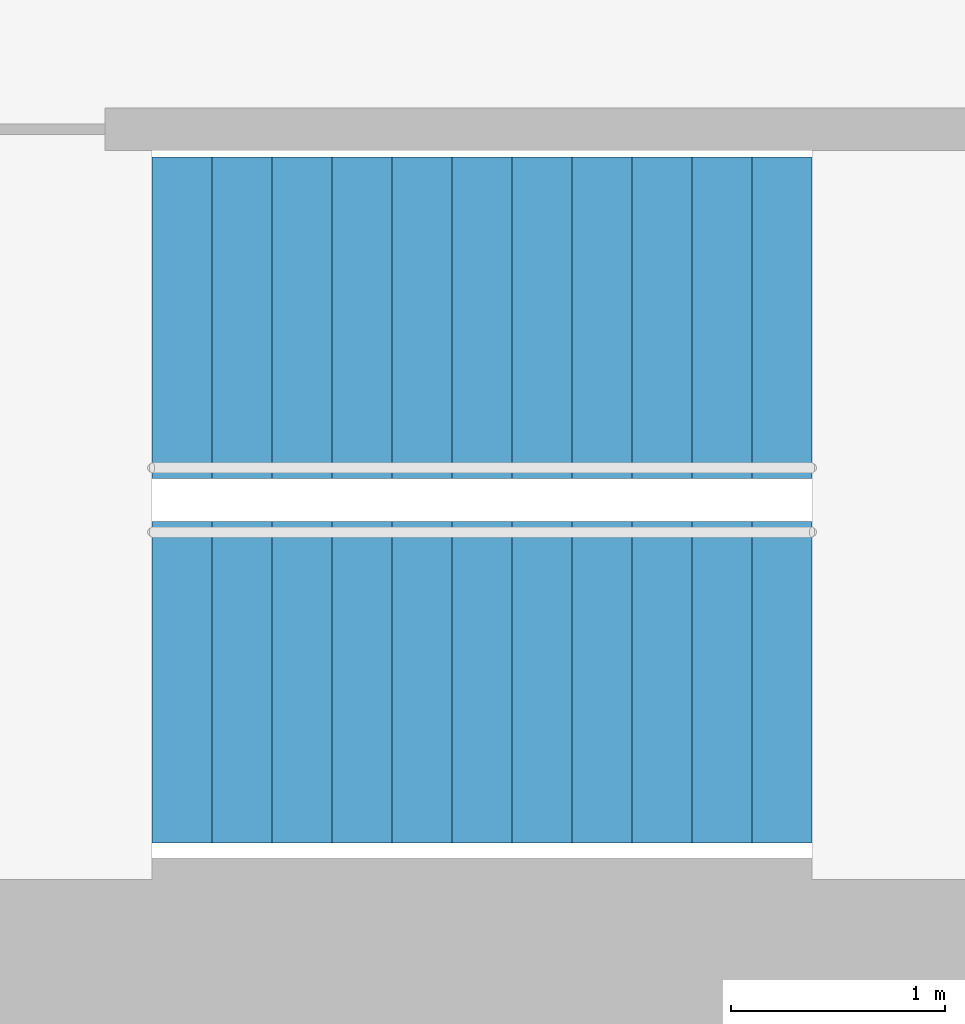
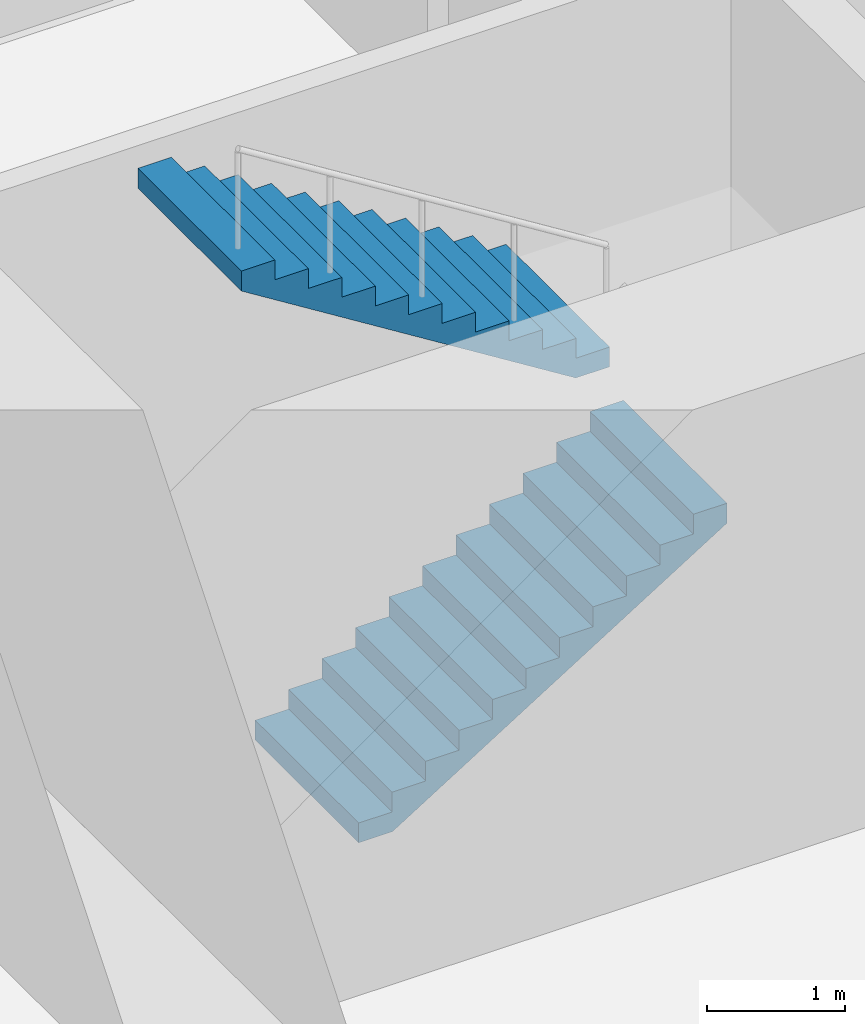
# One storey, part 15 of 17: 2 stair flights, 1 element without a shape of its own.
"""IFC4 building model written with IfcOpenShell, lengths in metres."""

from ifc_helpers import new_model, si_unit, direction, frame, origin, place, context, subcontext, project, spatial, triangles, material, type_object, element, aggregate, save


model = new_model("IFC4")

# Units and contexts
model_context = context("Model", 3, precision=1e-05, world=origin(), true_north=direction((0.0, 1.0)))
body_context = subcontext(model_context, "Body", "Model", "MODEL_VIEW")
ifc_project = project(units=[si_unit("LENGTHUNIT", "METRE"), si_unit("AREAUNIT", "SQUARE_METRE"), si_unit("VOLUMEUNIT", "CUBIC_METRE"), si_unit("PLANEANGLEUNIT", "RADIAN"), si_unit("MASSUNIT", "GRAM", prefix="KILO")], contexts=[model_context])

# Site, building, storey
site_placement = place(None, origin())
site = spatial("IfcSite", under=ifc_project, at=site_placement, CompositionType="ELEMENT")
building_placement = place(site_placement, origin())
building = spatial("IfcBuilding", under=site, at=building_placement, Name="Lantaw Convention Tower", CompositionType="ELEMENT")
storey_placement = place(building_placement, frame((0.0, 0.0, 159.39990234375)))
storey = spatial("IfcBuildingStorey", under=building, at=storey_placement, Name="L37", CompositionType="ELEMENT", Elevation=159.39990234375)

# Stair, stair flights
ifc_material = material(Name="Concrete C35/45", Category="concrete")
stair_type = type_object("IfcStairType", Name="Exit stair 1500 riser 175 in 2 flights", PredefinedType="HALF_TURN_STAIR", material=ifc_material)
stair_placement = place(storey_placement, origin())
stair = element("IfcStair", 1, at=stair_placement, inside=storey, type_object=stair_type, Name="Exit stair S1 L37", PredefinedType="HALF_TURN_STAIR")
stair_flight_type = type_object("IfcStairFlightType", Name="Stair flight 1500 riser 175", PredefinedType="STRAIGHT", material=ifc_material)
stair_flight_1_placement = place(storey_placement, frame((-10.580078125, -5.97998046875, 0.0), z_axis=(0.0, 0.0, 1.0), x_axis=(1.0, 0.0, 0.0)))
stair_flight_1 = element("IfcStairFlight", 2, at=stair_flight_1_placement, type_object=stair_flight_type, Name="S1 flight 1", NumberOfRisers=12, NumberOfTreads=11, PredefinedType="STRAIGHT", RiserHeight=0.175, TreadLength=0.28, context=body_context, shape_type="Tessellation", body=[
    triangles([(0.0, 0.75, 0.0), (0.0, 0.75, 0.175), (0.28, 0.75, 0.0), (0.28, 0.75, 0.175), (0.28, 0.75, 0.35), (0.28283517651771284, 0.75, 0.0), (0.28283517651771284, 0.75, 0.35), (0.56, 0.75, 0.17322801467642948), (0.56, 0.75, 0.35), (0.56, 0.75, 0.5249999999999999), (0.8400000000000001, 0.75, 0.34822801467642944), (0.8400000000000001, 0.75, 0.5249999999999999), (0.8400000000000001, 0.75, 0.7), (1.12, 0.75, 0.5232280146764294), (1.12, 0.75, 0.7), (1.12, 0.75, 0.875), (1.4000000000000001, 0.75, 0.6982280146764295), (1.4000000000000001, 0.75, 0.875), (1.4000000000000001, 0.75, 1.0499999999999998), (1.6800000000000002, 0.75, 0.8732280146764294), (1.6800000000000002, 0.75, 1.0499999999999998), (1.6800000000000002, 0.75, 1.2249999999999999), (1.9600000000000002, 0.75, 1.0482280146764293), (1.9600000000000002, 0.75, 1.2249999999999999), (1.9600000000000002, 0.75, 1.4), (2.24, 0.75, 1.2232280146764294), (2.24, 0.75, 1.4), (2.24, 0.75, 1.575), (2.5200000000000005, 0.75, 1.3982280146764294), (2.5200000000000005, 0.75, 1.575), (2.5200000000000005, 0.75, 1.75), (2.8000000000000003, 0.75, 1.5732280146764293), (2.8000000000000003, 0.75, 1.75), (2.8000000000000003, 0.75, 1.9249999999999998), (3.08, 0.75, 1.7482280146764293), (3.08, 0.75, 1.9249999999999998), (0.0, -0.75, 0.0), (0.0, -0.75, 0.175), (0.28, -0.75, 0.0), (0.28, -0.75, 0.175), (0.28, -0.75, 0.35), (0.28283517651771284, -0.75, 0.0), (0.28283517651771284, -0.75, 0.35), (0.56, -0.75, 0.17322801467642948), (0.56, -0.75, 0.35), (0.56, -0.75, 0.5249999999999999), (0.8400000000000001, -0.75, 0.34822801467642944), (0.8400000000000001, -0.75, 0.5249999999999999), (0.8400000000000001, -0.75, 0.7), (1.12, -0.75, 0.5232280146764294), (1.12, -0.75, 0.7), (1.12, -0.75, 0.875), (1.4000000000000001, -0.75, 0.6982280146764295), (1.4000000000000001, -0.75, 0.875), (1.4000000000000001, -0.75, 1.0499999999999998), (1.6800000000000002, -0.75, 0.8732280146764294), (1.6800000000000002, -0.75, 1.0499999999999998), (1.6800000000000002, -0.75, 1.2249999999999999), (1.9600000000000002, -0.75, 1.0482280146764293), (1.9600000000000002, -0.75, 1.2249999999999999), (1.9600000000000002, -0.75, 1.4), (2.24, -0.75, 1.2232280146764294), (2.24, -0.75, 1.4), (2.24, -0.75, 1.575), (2.5200000000000005, -0.75, 1.3982280146764294), (2.5200000000000005, -0.75, 1.575), (2.5200000000000005, -0.75, 1.75), (2.8000000000000003, -0.75, 1.5732280146764293), (2.8000000000000003, -0.75, 1.75), (2.8000000000000003, -0.75, 1.9249999999999998), (3.08, -0.75, 1.7482280146764293), (3.08, -0.75, 1.9249999999999998), (0.0, 0.15000000000000002, 0.175), (0.0, 0.15000000000000002, 0.0), (0.0, 0.0, 0.175), (0.0, 0.0, 0.0), (0.0, -0.15000000000000002, 0.175), (0.0, -0.15000000000000002, 0.0), (0.28, 0.15000000000000002, 0.35), (0.28, 0.15000000000000002, 0.175), (0.28, 0.0, 0.35), (0.28, 0.0, 0.175), (0.28, -0.15000000000000002, 0.35), (0.28, -0.15000000000000002, 0.175), (0.56, 0.15000000000000002, 0.5249999999999999), (0.56, 0.15000000000000002, 0.35), (0.56, 0.0, 0.5249999999999999), (0.56, 0.0, 0.35), (0.56, -0.15000000000000002, 0.5249999999999999), (0.56, -0.15000000000000002, 0.35), (0.8400000000000001, 0.15000000000000002, 0.7), (0.8400000000000001, 0.15000000000000002, 0.5249999999999999), (0.8400000000000001, 0.0, 0.7), (0.8400000000000001, 0.0, 0.5249999999999999), (0.8400000000000001, -0.15000000000000002, 0.7), (0.8400000000000001, -0.15000000000000002, 0.5249999999999999), (1.12, 0.15000000000000002, 0.875), (1.12, 0.15000000000000002, 0.7), (1.12, 0.0, 0.875), (1.12, 0.0, 0.7), (1.12, -0.15000000000000002, 0.875), (1.12, -0.15000000000000002, 0.7), (1.4000000000000001, 0.15000000000000002, 1.0499999999999998), (1.4000000000000001, 0.15000000000000002, 0.875), (1.4000000000000001, 0.0, 1.0499999999999998), (1.4000000000000001, 0.0, 0.875), (1.4000000000000001, -0.15000000000000002, 1.0499999999999998), (1.4000000000000001, -0.15000000000000002, 0.875), (1.6800000000000002, 0.15000000000000002, 1.2249999999999999), (1.6800000000000002, 0.15000000000000002, 1.0499999999999998), (1.6800000000000002, 0.0, 1.2249999999999999), (1.6800000000000002, 0.0, 1.0499999999999998), (1.6800000000000002, -0.15000000000000002, 1.2249999999999999), (1.6800000000000002, -0.15000000000000002, 1.0499999999999998), (1.9600000000000002, 0.15000000000000002, 1.4), (1.9600000000000002, 0.15000000000000002, 1.2249999999999999), (1.9600000000000002, 0.0, 1.4), (1.9600000000000002, 0.0, 1.2249999999999999), (1.9600000000000002, -0.15000000000000002, 1.4), (1.9600000000000002, -0.15000000000000002, 1.2249999999999999), (2.24, 0.15000000000000002, 1.575), (2.24, 0.15000000000000002, 1.4), (2.24, 0.0, 1.575), (2.24, 0.0, 1.4), (2.24, -0.15000000000000002, 1.575), (2.24, -0.15000000000000002, 1.4), (2.5200000000000005, 0.15000000000000002, 1.75), (2.5200000000000005, 0.15000000000000002, 1.575), (2.5200000000000005, 0.0, 1.75), (2.5200000000000005, 0.0, 1.575), (2.5200000000000005, -0.15000000000000002, 1.75), (2.5200000000000005, -0.15000000000000002, 1.575), (2.8000000000000003, 0.15000000000000002, 1.9249999999999998), (2.8000000000000003, 0.15000000000000002, 1.75), (2.8000000000000003, 0.0, 1.9249999999999998), (2.8000000000000003, 0.0, 1.75), (2.8000000000000003, -0.15000000000000002, 1.9249999999999998), (2.8000000000000003, -0.15000000000000002, 1.75), (0.28283517651771284, 0.15000000000000002, 0.35), (0.28283517651771284, 0.0, 0.35), (0.28283517651771284, -0.15000000000000002, 0.35), (3.08, 0.15000000000000002, 1.9249999999999998), (3.08, 0.0, 1.9249999999999998), (3.08, -0.15000000000000002, 1.9249999999999998), (3.08, 0.15000000000000002, 1.7482280146764293), (3.08, 0.0, 1.7482280146764293), (3.08, -0.15000000000000002, 1.7482280146764293), (2.8000000000000003, 0.15000000000000002, 1.5732280146764293), (2.8000000000000003, 0.0, 1.5732280146764293), (2.8000000000000003, -0.15000000000000002, 1.5732280146764293), (2.5200000000000005, 0.15000000000000002, 1.3982280146764294), (2.5200000000000005, 0.0, 1.3982280146764294), (2.5200000000000005, -0.15000000000000002, 1.3982280146764294), (2.24, 0.15000000000000002, 1.2232280146764294), (2.24, 0.0, 1.2232280146764294), (2.24, -0.15000000000000002, 1.2232280146764294), (1.9600000000000002, 0.15000000000000002, 1.0482280146764293), (1.9600000000000002, 0.0, 1.0482280146764293), (1.9600000000000002, -0.15000000000000002, 1.0482280146764293), (1.6800000000000002, 0.15000000000000002, 0.8732280146764294), (1.6800000000000002, 0.0, 0.8732280146764294), (1.6800000000000002, -0.15000000000000002, 0.8732280146764294), (1.4000000000000001, 0.15000000000000002, 0.6982280146764295), (1.4000000000000001, 0.0, 0.6982280146764295), (1.4000000000000001, -0.15000000000000002, 0.6982280146764295), (1.12, 0.15000000000000002, 0.5232280146764294), (1.12, 0.0, 0.5232280146764294), (1.12, -0.15000000000000002, 0.5232280146764294), (0.8400000000000001, 0.15000000000000002, 0.34822801467642944), (0.8400000000000001, 0.0, 0.34822801467642944), (0.8400000000000001, -0.15000000000000002, 0.34822801467642944), (0.56, 0.15000000000000002, 0.17322801467642948), (0.56, 0.0, 0.17322801467642948), (0.56, -0.15000000000000002, 0.17322801467642948), (0.28283517651771284, 0.15000000000000002, 0.0), (0.28283517651771284, 0.0, 0.0), (0.28283517651771284, -0.15000000000000002, 0.0), (0.28, 0.15000000000000002, 0.0), (0.28, 0.0, 0.0), (0.28, -0.15000000000000002, 0.0)], [[1, 4, 3], [1, 2, 4], [3, 4, 6], [4, 7, 6], [4, 5, 7], [6, 9, 8], [6, 7, 9], [8, 9, 11], [9, 12, 11], [9, 10, 12], [11, 12, 14], [12, 15, 14], [12, 13, 15], [14, 15, 17], [15, 18, 17], [15, 16, 18], [17, 18, 20], [18, 21, 20], [18, 19, 21], [20, 21, 23], [21, 24, 23], [21, 22, 24], [23, 24, 26], [24, 27, 26], [24, 25, 27], [26, 27, 29], [27, 30, 29], [27, 28, 30], [29, 30, 32], [30, 33, 32], [30, 31, 33], [32, 33, 35], [33, 36, 35], [33, 34, 36], [37, 39, 40], [37, 40, 38], [39, 42, 40], [40, 42, 43], [40, 43, 41], [42, 44, 45], [42, 45, 43], [44, 47, 45], [45, 47, 48], [45, 48, 46], [47, 50, 48], [48, 50, 51], [48, 51, 49], [50, 53, 51], [51, 53, 54], [51, 54, 52], [53, 56, 54], [54, 56, 57], [54, 57, 55], [56, 59, 57], [57, 59, 60], [57, 60, 58], [59, 62, 60], [60, 62, 63], [60, 63, 61], [62, 65, 63], [63, 65, 66], [63, 66, 64], [65, 68, 66], [66, 68, 69], [66, 69, 67], [68, 71, 69], [69, 71, 72], [69, 72, 70], [1, 73, 2], [1, 74, 73], [74, 75, 73], [74, 76, 75], [76, 77, 75], [76, 78, 77], [78, 38, 77], [78, 37, 38], [4, 79, 5], [4, 80, 79], [80, 81, 79], [80, 82, 81], [82, 83, 81], [82, 84, 83], [84, 41, 83], [84, 40, 41], [9, 85, 10], [9, 86, 85], [86, 87, 85], [86, 88, 87], [88, 89, 87], [88, 90, 89], [90, 46, 89], [90, 45, 46], [12, 91, 13], [12, 92, 91], [92, 93, 91], [92, 94, 93], [94, 95, 93], [94, 96, 95], [96, 49, 95], [96, 48, 49], [15, 97, 16], [15, 98, 97], [98, 99, 97], [98, 100, 99], [100, 101, 99], [100, 102, 101], [102, 52, 101], [102, 51, 52], [18, 103, 19], [18, 104, 103], [104, 105, 103], [104, 106, 105], [106, 107, 105], [106, 108, 107], [108, 55, 107], [108, 54, 55], [21, 109, 22], [21, 110, 109], [110, 111, 109], [110, 112, 111], [112, 113, 111], [112, 114, 113], [114, 58, 113], [114, 57, 58], [24, 115, 25], [24, 116, 115], [116, 117, 115], [116, 118, 117], [118, 119, 117], [118, 120, 119], [120, 61, 119], [120, 60, 61], [27, 121, 28], [27, 122, 121], [122, 123, 121], [122, 124, 123], [124, 125, 123], [124, 126, 125], [126, 64, 125], [126, 63, 64], [30, 127, 31], [30, 128, 127], [128, 129, 127], [128, 130, 129], [130, 131, 129], [130, 132, 131], [132, 67, 131], [132, 66, 67], [33, 133, 34], [33, 134, 133], [134, 135, 133], [134, 136, 135], [136, 137, 135], [136, 138, 137], [138, 70, 137], [138, 69, 70], [2, 80, 4], [2, 73, 80], [73, 82, 80], [73, 75, 82], [75, 84, 82], [75, 77, 84], [77, 40, 84], [77, 38, 40], [5, 139, 7], [5, 79, 139], [79, 140, 139], [79, 81, 140], [81, 141, 140], [81, 83, 141], [83, 43, 141], [83, 41, 43], [7, 86, 9], [7, 139, 86], [139, 88, 86], [139, 140, 88], [140, 90, 88], [140, 141, 90], [141, 45, 90], [141, 43, 45], [10, 92, 12], [10, 85, 92], [85, 94, 92], [85, 87, 94], [87, 96, 94], [87, 89, 96], [89, 48, 96], [89, 46, 48], [13, 98, 15], [13, 91, 98], [91, 100, 98], [91, 93, 100], [93, 102, 100], [93, 95, 102], [95, 51, 102], [95, 49, 51], [16, 104, 18], [16, 97, 104], [97, 106, 104], [97, 99, 106], [99, 108, 106], [99, 101, 108], [101, 54, 108], [101, 52, 54], [19, 110, 21], [19, 103, 110], [103, 112, 110], [103, 105, 112], [105, 114, 112], [105, 107, 114], [107, 57, 114], [107, 55, 57], [22, 116, 24], [22, 109, 116], [109, 118, 116], [109, 111, 118], [111, 120, 118], [111, 113, 120], [113, 60, 120], [113, 58, 60], [25, 122, 27], [25, 115, 122], [115, 124, 122], [115, 117, 124], [117, 126, 124], [117, 119, 126], [119, 63, 126], [119, 61, 63], [28, 128, 30], [28, 121, 128], [121, 130, 128], [121, 123, 130], [123, 132, 130], [123, 125, 132], [125, 66, 132], [125, 64, 66], [31, 134, 33], [31, 127, 134], [127, 136, 134], [127, 129, 136], [129, 138, 136], [129, 131, 138], [131, 69, 138], [131, 67, 69], [34, 142, 36], [34, 133, 142], [133, 143, 142], [133, 135, 143], [135, 144, 143], [135, 137, 144], [137, 72, 144], [137, 70, 72], [36, 145, 35], [36, 142, 145], [142, 146, 145], [142, 143, 146], [143, 147, 146], [143, 144, 147], [144, 71, 147], [144, 72, 71], [35, 148, 32], [35, 145, 148], [145, 149, 148], [145, 146, 149], [146, 150, 149], [146, 147, 150], [147, 68, 150], [147, 71, 68], [32, 151, 29], [32, 148, 151], [148, 152, 151], [148, 149, 152], [149, 153, 152], [149, 150, 153], [150, 65, 153], [150, 68, 65], [29, 154, 26], [29, 151, 154], [151, 155, 154], [151, 152, 155], [152, 156, 155], [152, 153, 156], [153, 62, 156], [153, 65, 62], [26, 157, 23], [26, 154, 157], [154, 158, 157], [154, 155, 158], [155, 159, 158], [155, 156, 159], [156, 59, 159], [156, 62, 59], [23, 160, 20], [23, 157, 160], [157, 161, 160], [157, 158, 161], [158, 162, 161], [158, 159, 162], [159, 56, 162], [159, 59, 56], [20, 163, 17], [20, 160, 163], [160, 164, 163], [160, 161, 164], [161, 165, 164], [161, 162, 165], [162, 53, 165], [162, 56, 53], [17, 166, 14], [17, 163, 166], [163, 167, 166], [163, 164, 167], [164, 168, 167], [164, 165, 168], [165, 50, 168], [165, 53, 50], [14, 169, 11], [14, 166, 169], [166, 170, 169], [166, 167, 170], [167, 171, 170], [167, 168, 171], [168, 47, 171], [168, 50, 47], [11, 172, 8], [11, 169, 172], [169, 173, 172], [169, 170, 173], [170, 174, 173], [170, 171, 174], [171, 44, 174], [171, 47, 44], [8, 175, 6], [8, 172, 175], [172, 176, 175], [172, 173, 176], [173, 177, 176], [173, 174, 177], [174, 42, 177], [174, 44, 42], [6, 178, 3], [6, 175, 178], [175, 179, 178], [175, 176, 179], [176, 180, 179], [176, 177, 180], [177, 39, 180], [177, 42, 39], [3, 74, 1], [3, 178, 74], [178, 76, 74], [178, 179, 76], [179, 78, 76], [179, 180, 78], [180, 37, 78], [180, 39, 37]], closed=True),
])
stair_flight_2_placement = place(storey_placement, frame((-7.5, -4.280029296875, 2.10009765625), z_axis=(0.0, 0.0, 1.0), x_axis=(-1.0, 0.0, 0.0)))
stair_flight_2 = element("IfcStairFlight", 3, at=stair_flight_2_placement, type_object=stair_flight_type, Name="S1 flight 2", NumberOfRisers=12, NumberOfTreads=11, PredefinedType="STRAIGHT", RiserHeight=0.175, TreadLength=0.28, context=body_context, shape_type="Tessellation", body=[
    triangles([(0.0, 0.75, 0.0), (0.0, 0.75, 0.175), (0.28, 0.75, 0.0), (0.28, 0.75, 0.175), (0.28, 0.75, 0.35), (0.28283517651771284, 0.75, 0.0), (0.28283517651771284, 0.75, 0.35), (0.56, 0.75, 0.17322801467642948), (0.56, 0.75, 0.35), (0.56, 0.75, 0.5249999999999999), (0.8400000000000001, 0.75, 0.34822801467642944), (0.8400000000000001, 0.75, 0.5249999999999999), (0.8400000000000001, 0.75, 0.7), (1.12, 0.75, 0.5232280146764294), (1.12, 0.75, 0.7), (1.12, 0.75, 0.875), (1.4000000000000001, 0.75, 0.6982280146764295), (1.4000000000000001, 0.75, 0.875), (1.4000000000000001, 0.75, 1.0499999999999998), (1.6800000000000002, 0.75, 0.8732280146764294), (1.6800000000000002, 0.75, 1.0499999999999998), (1.6800000000000002, 0.75, 1.2249999999999999), (1.9600000000000002, 0.75, 1.0482280146764293), (1.9600000000000002, 0.75, 1.2249999999999999), (1.9600000000000002, 0.75, 1.4), (2.24, 0.75, 1.2232280146764294), (2.24, 0.75, 1.4), (2.24, 0.75, 1.575), (2.5200000000000005, 0.75, 1.3982280146764294), (2.5200000000000005, 0.75, 1.575), (2.5200000000000005, 0.75, 1.75), (2.8000000000000003, 0.75, 1.5732280146764293), (2.8000000000000003, 0.75, 1.75), (2.8000000000000003, 0.75, 1.9249999999999998), (3.08, 0.75, 1.7482280146764293), (3.08, 0.75, 1.9249999999999998), (0.0, -0.75, 0.0), (0.0, -0.75, 0.175), (0.28, -0.75, 0.0), (0.28, -0.75, 0.175), (0.28, -0.75, 0.35), (0.28283517651771284, -0.75, 0.0), (0.28283517651771284, -0.75, 0.35), (0.56, -0.75, 0.17322801467642948), (0.56, -0.75, 0.35), (0.56, -0.75, 0.5249999999999999), (0.8400000000000001, -0.75, 0.34822801467642944), (0.8400000000000001, -0.75, 0.5249999999999999), (0.8400000000000001, -0.75, 0.7), (1.12, -0.75, 0.5232280146764294), (1.12, -0.75, 0.7), (1.12, -0.75, 0.875), (1.4000000000000001, -0.75, 0.6982280146764295), (1.4000000000000001, -0.75, 0.875), (1.4000000000000001, -0.75, 1.0499999999999998), (1.6800000000000002, -0.75, 0.8732280146764294), (1.6800000000000002, -0.75, 1.0499999999999998), (1.6800000000000002, -0.75, 1.2249999999999999), (1.9600000000000002, -0.75, 1.0482280146764293), (1.9600000000000002, -0.75, 1.2249999999999999), (1.9600000000000002, -0.75, 1.4), (2.24, -0.75, 1.2232280146764294), (2.24, -0.75, 1.4), (2.24, -0.75, 1.575), (2.5200000000000005, -0.75, 1.3982280146764294), (2.5200000000000005, -0.75, 1.575), (2.5200000000000005, -0.75, 1.75), (2.8000000000000003, -0.75, 1.5732280146764293), (2.8000000000000003, -0.75, 1.75), (2.8000000000000003, -0.75, 1.9249999999999998), (3.08, -0.75, 1.7482280146764293), (3.08, -0.75, 1.9249999999999998), (0.0, 0.15000000000000002, 0.175), (0.0, 0.15000000000000002, 0.0), (0.0, 0.0, 0.175), (0.0, 0.0, 0.0), (0.0, -0.15000000000000002, 0.175), (0.0, -0.15000000000000002, 0.0), (0.28, 0.15000000000000002, 0.35), (0.28, 0.15000000000000002, 0.175), (0.28, 0.0, 0.35), (0.28, 0.0, 0.175), (0.28, -0.15000000000000002, 0.35), (0.28, -0.15000000000000002, 0.175), (0.56, 0.15000000000000002, 0.5249999999999999), (0.56, 0.15000000000000002, 0.35), (0.56, 0.0, 0.5249999999999999), (0.56, 0.0, 0.35), (0.56, -0.15000000000000002, 0.5249999999999999), (0.56, -0.15000000000000002, 0.35), (0.8400000000000001, 0.15000000000000002, 0.7), (0.8400000000000001, 0.15000000000000002, 0.5249999999999999), (0.8400000000000001, 0.0, 0.7), (0.8400000000000001, 0.0, 0.5249999999999999), (0.8400000000000001, -0.15000000000000002, 0.7), (0.8400000000000001, -0.15000000000000002, 0.5249999999999999), (1.12, 0.15000000000000002, 0.875), (1.12, 0.15000000000000002, 0.7), (1.12, 0.0, 0.875), (1.12, 0.0, 0.7), (1.12, -0.15000000000000002, 0.875), (1.12, -0.15000000000000002, 0.7), (1.4000000000000001, 0.15000000000000002, 1.0499999999999998), (1.4000000000000001, 0.15000000000000002, 0.875), (1.4000000000000001, 0.0, 1.0499999999999998), (1.4000000000000001, 0.0, 0.875), (1.4000000000000001, -0.15000000000000002, 1.0499999999999998), (1.4000000000000001, -0.15000000000000002, 0.875), (1.6800000000000002, 0.15000000000000002, 1.2249999999999999), (1.6800000000000002, 0.15000000000000002, 1.0499999999999998), (1.6800000000000002, 0.0, 1.2249999999999999), (1.6800000000000002, 0.0, 1.0499999999999998), (1.6800000000000002, -0.15000000000000002, 1.2249999999999999), (1.6800000000000002, -0.15000000000000002, 1.0499999999999998), (1.9600000000000002, 0.15000000000000002, 1.4), (1.9600000000000002, 0.15000000000000002, 1.2249999999999999), (1.9600000000000002, 0.0, 1.4), (1.9600000000000002, 0.0, 1.2249999999999999), (1.9600000000000002, -0.15000000000000002, 1.4), (1.9600000000000002, -0.15000000000000002, 1.2249999999999999), (2.24, 0.15000000000000002, 1.575), (2.24, 0.15000000000000002, 1.4), (2.24, 0.0, 1.575), (2.24, 0.0, 1.4), (2.24, -0.15000000000000002, 1.575), (2.24, -0.15000000000000002, 1.4), (2.5200000000000005, 0.15000000000000002, 1.75), (2.5200000000000005, 0.15000000000000002, 1.575), (2.5200000000000005, 0.0, 1.75), (2.5200000000000005, 0.0, 1.575), (2.5200000000000005, -0.15000000000000002, 1.75), (2.5200000000000005, -0.15000000000000002, 1.575), (2.8000000000000003, 0.15000000000000002, 1.9249999999999998), (2.8000000000000003, 0.15000000000000002, 1.75), (2.8000000000000003, 0.0, 1.9249999999999998), (2.8000000000000003, 0.0, 1.75), (2.8000000000000003, -0.15000000000000002, 1.9249999999999998), (2.8000000000000003, -0.15000000000000002, 1.75), (0.28283517651771284, 0.15000000000000002, 0.35), (0.28283517651771284, 0.0, 0.35), (0.28283517651771284, -0.15000000000000002, 0.35), (3.08, 0.15000000000000002, 1.9249999999999998), (3.08, 0.0, 1.9249999999999998), (3.08, -0.15000000000000002, 1.9249999999999998), (3.08, 0.15000000000000002, 1.7482280146764293), (3.08, 0.0, 1.7482280146764293), (3.08, -0.15000000000000002, 1.7482280146764293), (2.8000000000000003, 0.15000000000000002, 1.5732280146764293), (2.8000000000000003, 0.0, 1.5732280146764293), (2.8000000000000003, -0.15000000000000002, 1.5732280146764293), (2.5200000000000005, 0.15000000000000002, 1.3982280146764294), (2.5200000000000005, 0.0, 1.3982280146764294), (2.5200000000000005, -0.15000000000000002, 1.3982280146764294), (2.24, 0.15000000000000002, 1.2232280146764294), (2.24, 0.0, 1.2232280146764294), (2.24, -0.15000000000000002, 1.2232280146764294), (1.9600000000000002, 0.15000000000000002, 1.0482280146764293), (1.9600000000000002, 0.0, 1.0482280146764293), (1.9600000000000002, -0.15000000000000002, 1.0482280146764293), (1.6800000000000002, 0.15000000000000002, 0.8732280146764294), (1.6800000000000002, 0.0, 0.8732280146764294), (1.6800000000000002, -0.15000000000000002, 0.8732280146764294), (1.4000000000000001, 0.15000000000000002, 0.6982280146764295), (1.4000000000000001, 0.0, 0.6982280146764295), (1.4000000000000001, -0.15000000000000002, 0.6982280146764295), (1.12, 0.15000000000000002, 0.5232280146764294), (1.12, 0.0, 0.5232280146764294), (1.12, -0.15000000000000002, 0.5232280146764294), (0.8400000000000001, 0.15000000000000002, 0.34822801467642944), (0.8400000000000001, 0.0, 0.34822801467642944), (0.8400000000000001, -0.15000000000000002, 0.34822801467642944), (0.56, 0.15000000000000002, 0.17322801467642948), (0.56, 0.0, 0.17322801467642948), (0.56, -0.15000000000000002, 0.17322801467642948), (0.28283517651771284, 0.15000000000000002, 0.0), (0.28283517651771284, 0.0, 0.0), (0.28283517651771284, -0.15000000000000002, 0.0), (0.28, 0.15000000000000002, 0.0), (0.28, 0.0, 0.0), (0.28, -0.15000000000000002, 0.0)], [[1, 4, 3], [1, 2, 4], [3, 4, 6], [4, 7, 6], [4, 5, 7], [6, 9, 8], [6, 7, 9], [8, 9, 11], [9, 12, 11], [9, 10, 12], [11, 12, 14], [12, 15, 14], [12, 13, 15], [14, 15, 17], [15, 18, 17], [15, 16, 18], [17, 18, 20], [18, 21, 20], [18, 19, 21], [20, 21, 23], [21, 24, 23], [21, 22, 24], [23, 24, 26], [24, 27, 26], [24, 25, 27], [26, 27, 29], [27, 30, 29], [27, 28, 30], [29, 30, 32], [30, 33, 32], [30, 31, 33], [32, 33, 35], [33, 36, 35], [33, 34, 36], [37, 39, 40], [37, 40, 38], [39, 42, 40], [40, 42, 43], [40, 43, 41], [42, 44, 45], [42, 45, 43], [44, 47, 45], [45, 47, 48], [45, 48, 46], [47, 50, 48], [48, 50, 51], [48, 51, 49], [50, 53, 51], [51, 53, 54], [51, 54, 52], [53, 56, 54], [54, 56, 57], [54, 57, 55], [56, 59, 57], [57, 59, 60], [57, 60, 58], [59, 62, 60], [60, 62, 63], [60, 63, 61], [62, 65, 63], [63, 65, 66], [63, 66, 64], [65, 68, 66], [66, 68, 69], [66, 69, 67], [68, 71, 69], [69, 71, 72], [69, 72, 70], [1, 73, 2], [1, 74, 73], [74, 75, 73], [74, 76, 75], [76, 77, 75], [76, 78, 77], [78, 38, 77], [78, 37, 38], [4, 79, 5], [4, 80, 79], [80, 81, 79], [80, 82, 81], [82, 83, 81], [82, 84, 83], [84, 41, 83], [84, 40, 41], [9, 85, 10], [9, 86, 85], [86, 87, 85], [86, 88, 87], [88, 89, 87], [88, 90, 89], [90, 46, 89], [90, 45, 46], [12, 91, 13], [12, 92, 91], [92, 93, 91], [92, 94, 93], [94, 95, 93], [94, 96, 95], [96, 49, 95], [96, 48, 49], [15, 97, 16], [15, 98, 97], [98, 99, 97], [98, 100, 99], [100, 101, 99], [100, 102, 101], [102, 52, 101], [102, 51, 52], [18, 103, 19], [18, 104, 103], [104, 105, 103], [104, 106, 105], [106, 107, 105], [106, 108, 107], [108, 55, 107], [108, 54, 55], [21, 109, 22], [21, 110, 109], [110, 111, 109], [110, 112, 111], [112, 113, 111], [112, 114, 113], [114, 58, 113], [114, 57, 58], [24, 115, 25], [24, 116, 115], [116, 117, 115], [116, 118, 117], [118, 119, 117], [118, 120, 119], [120, 61, 119], [120, 60, 61], [27, 121, 28], [27, 122, 121], [122, 123, 121], [122, 124, 123], [124, 125, 123], [124, 126, 125], [126, 64, 125], [126, 63, 64], [30, 127, 31], [30, 128, 127], [128, 129, 127], [128, 130, 129], [130, 131, 129], [130, 132, 131], [132, 67, 131], [132, 66, 67], [33, 133, 34], [33, 134, 133], [134, 135, 133], [134, 136, 135], [136, 137, 135], [136, 138, 137], [138, 70, 137], [138, 69, 70], [2, 80, 4], [2, 73, 80], [73, 82, 80], [73, 75, 82], [75, 84, 82], [75, 77, 84], [77, 40, 84], [77, 38, 40], [5, 139, 7], [5, 79, 139], [79, 140, 139], [79, 81, 140], [81, 141, 140], [81, 83, 141], [83, 43, 141], [83, 41, 43], [7, 86, 9], [7, 139, 86], [139, 88, 86], [139, 140, 88], [140, 90, 88], [140, 141, 90], [141, 45, 90], [141, 43, 45], [10, 92, 12], [10, 85, 92], [85, 94, 92], [85, 87, 94], [87, 96, 94], [87, 89, 96], [89, 48, 96], [89, 46, 48], [13, 98, 15], [13, 91, 98], [91, 100, 98], [91, 93, 100], [93, 102, 100], [93, 95, 102], [95, 51, 102], [95, 49, 51], [16, 104, 18], [16, 97, 104], [97, 106, 104], [97, 99, 106], [99, 108, 106], [99, 101, 108], [101, 54, 108], [101, 52, 54], [19, 110, 21], [19, 103, 110], [103, 112, 110], [103, 105, 112], [105, 114, 112], [105, 107, 114], [107, 57, 114], [107, 55, 57], [22, 116, 24], [22, 109, 116], [109, 118, 116], [109, 111, 118], [111, 120, 118], [111, 113, 120], [113, 60, 120], [113, 58, 60], [25, 122, 27], [25, 115, 122], [115, 124, 122], [115, 117, 124], [117, 126, 124], [117, 119, 126], [119, 63, 126], [119, 61, 63], [28, 128, 30], [28, 121, 128], [121, 130, 128], [121, 123, 130], [123, 132, 130], [123, 125, 132], [125, 66, 132], [125, 64, 66], [31, 134, 33], [31, 127, 134], [127, 136, 134], [127, 129, 136], [129, 138, 136], [129, 131, 138], [131, 69, 138], [131, 67, 69], [34, 142, 36], [34, 133, 142], [133, 143, 142], [133, 135, 143], [135, 144, 143], [135, 137, 144], [137, 72, 144], [137, 70, 72], [36, 145, 35], [36, 142, 145], [142, 146, 145], [142, 143, 146], [143, 147, 146], [143, 144, 147], [144, 71, 147], [144, 72, 71], [35, 148, 32], [35, 145, 148], [145, 149, 148], [145, 146, 149], [146, 150, 149], [146, 147, 150], [147, 68, 150], [147, 71, 68], [32, 151, 29], [32, 148, 151], [148, 152, 151], [148, 149, 152], [149, 153, 152], [149, 150, 153], [150, 65, 153], [150, 68, 65], [29, 154, 26], [29, 151, 154], [151, 155, 154], [151, 152, 155], [152, 156, 155], [152, 153, 156], [153, 62, 156], [153, 65, 62], [26, 157, 23], [26, 154, 157], [154, 158, 157], [154, 155, 158], [155, 159, 158], [155, 156, 159], [156, 59, 159], [156, 62, 59], [23, 160, 20], [23, 157, 160], [157, 161, 160], [157, 158, 161], [158, 162, 161], [158, 159, 162], [159, 56, 162], [159, 59, 56], [20, 163, 17], [20, 160, 163], [160, 164, 163], [160, 161, 164], [161, 165, 164], [161, 162, 165], [162, 53, 165], [162, 56, 53], [17, 166, 14], [17, 163, 166], [163, 167, 166], [163, 164, 167], [164, 168, 167], [164, 165, 168], [165, 50, 168], [165, 53, 50], [14, 169, 11], [14, 166, 169], [166, 170, 169], [166, 167, 170], [167, 171, 170], [167, 168, 171], [168, 47, 171], [168, 50, 47], [11, 172, 8], [11, 169, 172], [169, 173, 172], [169, 170, 173], [170, 174, 173], [170, 171, 174], [171, 44, 174], [171, 47, 44], [8, 175, 6], [8, 172, 175], [172, 176, 175], [172, 173, 176], [173, 177, 176], [173, 174, 177], [174, 42, 177], [174, 44, 42], [6, 178, 3], [6, 175, 178], [175, 179, 178], [175, 176, 179], [176, 180, 179], [176, 177, 180], [177, 39, 180], [177, 42, 39], [3, 74, 1], [3, 178, 74], [178, 76, 74], [178, 179, 76], [179, 78, 76], [179, 180, 78], [180, 37, 78], [180, 39, 37]], closed=True),
])
aggregate(stair, [stair_flight_1, stair_flight_2])

save(model, "model.ifc")
